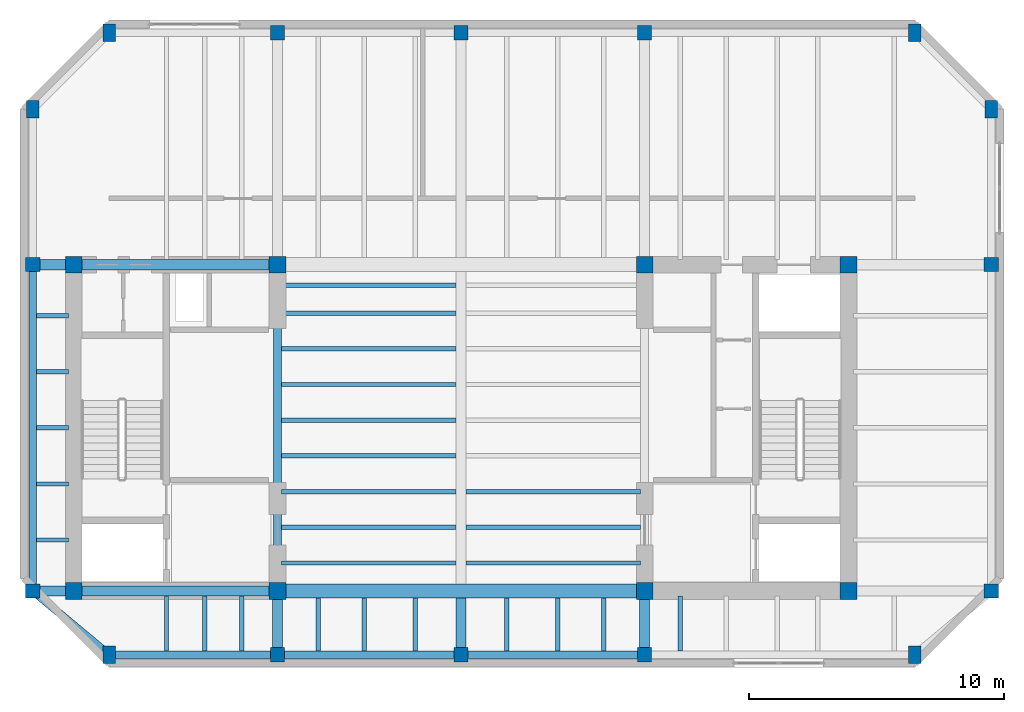
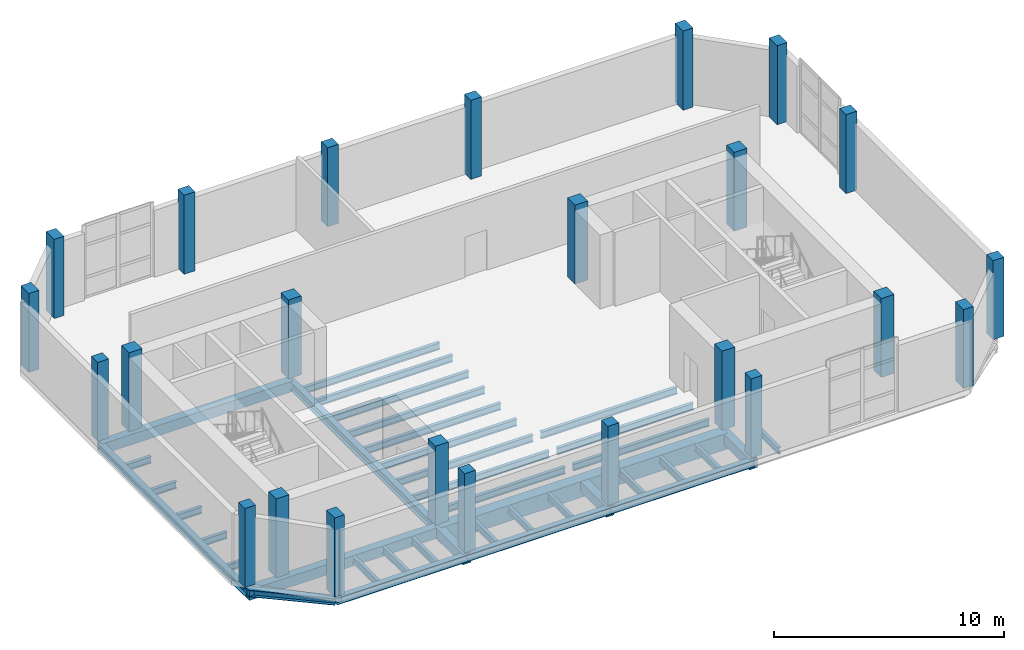
# One storey, part 1 of 7: 39 beams, 24 columns.
"""IFC4 building model written with IfcOpenShell, lengths in metres."""

from ifc_helpers import new_model, si_unit, direction, frame, origin, origin_2d, place, context, subcontext, project, spatial, rectangle, i_section, extrude, material, material_profile, profile_set, type_object, element, save


model = new_model("IFC4")

# Units and contexts
model_context = context("Model", 3, precision=1e-05, world=origin(), true_north=direction((0.0, 1.0)))
body_context = subcontext(model_context, "Body", "Model", "MODEL_VIEW")
ifc_project = project(units=[si_unit("LENGTHUNIT", "METRE"), si_unit("AREAUNIT", "SQUARE_METRE"), si_unit("VOLUMEUNIT", "CUBIC_METRE"), si_unit("PLANEANGLEUNIT", "RADIAN"), si_unit("MASSUNIT", "GRAM", prefix="KILO")], contexts=[model_context])

# Site, building, storey
site_placement = place(None, origin())
site = spatial("IfcSite", under=ifc_project, at=site_placement, CompositionType="ELEMENT")
building_placement = place(site_placement, origin())
building = spatial("IfcBuilding", under=site, at=building_placement, Name="Kranthara Brick Stack", CompositionType="ELEMENT")
storey_placement = place(building_placement, frame((0.0, 0.0, 296.39990234375)))
storey = spatial("IfcBuildingStorey", under=building, at=storey_placement, Name="L78", CompositionType="ELEMENT", Elevation=296.39990234375)

# Columns
ifc_material_1 = material(Name="Concrete C45/55", Category="concrete")
ifc_material_profile_1 = material_profile(ifc_material_1, rectangle(XDim=0.5, YDim=0.699951171875, at=origin_2d()), Name="RC 500x700")
ifc_profile_set_1 = profile_set([ifc_material_profile_1], Name="Concrete C45/55")
column_type_1 = type_object("IfcColumnType", Name="COL-CHAM-500x700", PredefinedType="COLUMN", material=ifc_profile_set_1)
for number, where, z_axis, x_axis, name in (
    (1, (14.199951171875, 18.300048828125, 0.0), (0.0, 0.0, 1.0), (1.0, 0.0, 0.0), "L78 Column 09"),
    (2, (14.199951171875, 42.699951171875, 0.0), (0.0, 0.0, 1.0), (1.0, 0.0, 0.0), "L78 Column 10"),
    (3, (45.800048828125, 18.300048828125, 0.0), (0.0, 0.0, 1.0), (1.0, 0.0, 0.0), "L78 Column 17"),
    (4, (45.800048828125, 42.699951171875, 0.0), (0.0, 0.0, 1.0), (1.0, 0.0, 0.0), "L78 Column 18"),
    (5, (11.199951171875, 39.699951171875, 0.0), (0.0, 0.0, 1.0), (1.0, 0.0, 0.0), "L78 Column 23"),
    (6, (48.800048828125, 39.699951171875, 0.0), (0.0, 0.0, 1.0), (1.0, 0.0, 0.0), "L78 Column 24"),
):
    element("IfcColumn", number, at=place(storey_placement, frame(where, z_axis=z_axis, x_axis=x_axis)), inside=storey, type_object=column_type_1, Name=name, PredefinedType="COLUMN", context=body_context, shape_type="SweptSolid", body=[
        extrude(rectangle(XDim=0.5, YDim=0.699951171875, at=origin_2d()), origin(), (0.0, 0.0, 1.0), 4.2001953125),
    ])
ifc_material_2 = material(Name="Concrete C50/60", Category="concrete")
ifc_material_profile_2 = material_profile(ifc_material_2, rectangle(XDim=0.64990234375, YDim=0.64990234375, at=origin_2d()), Name="RC 650x650")
ifc_profile_set_2 = profile_set([ifc_material_profile_2], Name="Concrete C50/60")
column_type_2 = type_object("IfcColumnType", Name="COL-CORE-650", PredefinedType="COLUMN", material=ifc_profile_set_2)
for number, where, z_axis, x_axis, name in (
    (7, (12.800048828125, 20.800048828125, 0.0), (0.0, 0.0, 1.0), (1.0, 0.0, 0.0), "L78 Column 01"),
    (8, (20.800048828125, 20.800048828125, 0.0), (0.0, 0.0, 1.0), (1.0, 0.0, 0.0), "L78 Column 02"),
    (9, (12.800048828125, 33.60009765625, 0.0), (0.0, 0.0, 1.0), (1.0, 0.0, 0.0), "L78 Column 03"),
    (10, (20.800048828125, 33.60009765625, 0.0), (0.0, 0.0, 1.0), (1.0, 0.0, 0.0), "L78 Column 04"),
    (11, (35.199951171875, 20.800048828125, 0.0), (0.0, 0.0, 1.0), (1.0, 0.0, 0.0), "L78 Column 05"),
    (12, (43.199951171875, 20.800048828125, 0.0), (0.0, 0.0, 1.0), (1.0, 0.0, 0.0), "L78 Column 06"),
    (13, (35.199951171875, 33.60009765625, 0.0), (0.0, 0.0, 1.0), (1.0, 0.0, 0.0), "L78 Column 07"),
    (14, (43.199951171875, 33.60009765625, 0.0), (0.0, 0.0, 1.0), (1.0, 0.0, 0.0), "L78 Column 08"),
):
    element("IfcColumn", number, at=place(storey_placement, frame(where, z_axis=z_axis, x_axis=x_axis)), inside=storey, type_object=column_type_2, Name=name, PredefinedType="COLUMN", context=body_context, shape_type="SweptSolid", body=[
        extrude(rectangle(XDim=0.64990234375, YDim=0.64990234375, at=origin_2d()), origin(), (0.0, 0.0, 1.0), 4.2001953125),
    ])
ifc_material_3 = material(Name="Concrete C45/55", Category="concrete")
ifc_material_profile_3 = material_profile(ifc_material_3, rectangle(XDim=0.550048828125, YDim=0.550048828125, at=origin_2d()), Name="RC 550x550")
ifc_profile_set_3 = profile_set([ifc_material_profile_3], Name="Concrete C45/55")
column_type_3 = type_object("IfcColumnType", Name="COL-PER-550", PredefinedType="COLUMN", material=ifc_profile_set_3)
for number, where, z_axis, x_axis, name in (
    (15, (20.800048828125, 18.300048828125, 0.0), (0.0, 0.0, 1.0), (1.0, 0.0, 0.0), "L78 Column 11"),
    (16, (20.800048828125, 42.699951171875, 0.0), (0.0, 0.0, 1.0), (1.0, 0.0, 0.0), "L78 Column 12"),
    (17, (28.0, 18.300048828125, 0.0), (0.0, 0.0, 1.0), (1.0, 0.0, 0.0), "L78 Column 13"),
    (18, (28.0, 42.699951171875, 0.0), (0.0, 0.0, 1.0), (1.0, 0.0, 0.0), "L78 Column 14"),
    (19, (35.199951171875, 18.300048828125, 0.0), (0.0, 0.0, 1.0), (1.0, 0.0, 0.0), "L78 Column 15"),
    (20, (35.199951171875, 42.699951171875, 0.0), (0.0, 0.0, 1.0), (1.0, 0.0, 0.0), "L78 Column 16"),
    (21, (11.199951171875, 20.800048828125, 0.0), (0.0, 0.0, 1.0), (1.0, 0.0, 0.0), "L78 Column 19"),
    (22, (48.800048828125, 20.800048828125, 0.0), (0.0, 0.0, 1.0), (1.0, 0.0, 0.0), "L78 Column 20"),
    (23, (11.199951171875, 33.60009765625, 0.0), (0.0, 0.0, 1.0), (1.0, 0.0, 0.0), "L78 Column 21"),
    (24, (48.800048828125, 33.60009765625, 0.0), (0.0, 0.0, 1.0), (1.0, 0.0, 0.0), "L78 Column 22"),
):
    element("IfcColumn", number, at=place(storey_placement, frame(where, z_axis=z_axis, x_axis=x_axis)), inside=storey, type_object=column_type_3, Name=name, PredefinedType="COLUMN", context=body_context, shape_type="SweptSolid", body=[
        extrude(rectangle(XDim=0.550048828125, YDim=0.550048828125, at=origin_2d()), origin(), (0.0, 0.0, 1.0), 4.2001953125),
    ])

# Beams
ifc_material_4 = material(Name="Concrete C50/60", Category="concrete")
ifc_material_profile_4 = material_profile(ifc_material_4, rectangle(XDim=0.550048828125, YDim=0.85009765625, at=origin_2d()), Name="RC 550x850")
ifc_profile_set_4 = profile_set([ifc_material_profile_4], Name="Concrete C50/60")
beam_type_1 = type_object("IfcBeamType", Name="BM-CPL-RC850", PredefinedType="LINTEL", material=ifc_profile_set_4)
beam_1_placement = place(storey_placement, frame((20.800048828125, 20.800048828125, -0.704833984375), z_axis=(1.0, 0.0, 0.0), x_axis=(0.0, 1.0, 0.0)))
element("IfcBeam", 25, at=beam_1_placement, inside=storey, type_object=beam_type_1, Name="L78 Core Coupling Beam 001", PredefinedType="LINTEL", context=body_context, shape_type="SweptSolid", body=[
    extrude(rectangle(XDim=0.550048828125, YDim=0.85009765625, at=origin_2d()), origin(), (0.0, 0.0, 1.0), 14.39990234375),
])
ifc_material_5 = material(Name="Post-tensioned concrete C45/55", Category="concrete")
ifc_material_profile_5 = material_profile(ifc_material_5, rectangle(XDim=0.39990234375, YDim=0.550048828125, at=origin_2d()), Name="PT 400x550")
ifc_profile_set_5 = profile_set([ifc_material_profile_5], Name="Post-tensioned concrete C45/55")
beam_type_2 = type_object("IfcBeamType", Name="BM-FLR-PT550", PredefinedType="BEAM", material=ifc_profile_set_5)
beam_2_placement = place(storey_placement, frame((20.800048828125, 18.300048828125, -0.554931640625), z_axis=(0.0, 1.0, 0.0), x_axis=(-1.0, 0.0, 0.0)))
element("IfcBeam", 26, at=beam_2_placement, inside=storey, type_object=beam_type_2, Name="L78 Primary Grid Girder 021", PredefinedType="BEAM", context=body_context, shape_type="SweptSolid", body=[
    extrude(rectangle(XDim=0.39990234375, YDim=0.550048828125, at=origin_2d()), origin(), (0.0, 0.0, 1.0), 2.5),
])
beam_3_placement = place(storey_placement, frame((28.0, 18.300048828125, -0.554931640625), z_axis=(0.0, 1.0, 0.0), x_axis=(-1.0, 0.0, 0.0)))
element("IfcBeam", 27, at=beam_3_placement, inside=storey, type_object=beam_type_2, Name="L78 Primary Grid Girder 023", PredefinedType="BEAM", context=body_context, shape_type="SweptSolid", body=[
    extrude(rectangle(XDim=0.39990234375, YDim=0.550048828125, at=origin_2d()), origin(), (0.0, 0.0, 1.0), 2.224853515625),
])
beam_4_placement = place(storey_placement, frame((35.199951171875, 18.300048828125, -0.554931640625), z_axis=(0.0, 1.0, 0.0), x_axis=(-1.0, 0.0, 0.0)))
element("IfcBeam", 28, at=beam_4_placement, inside=storey, type_object=beam_type_2, Name="L78 Primary Grid Girder 026", PredefinedType="BEAM", context=body_context, shape_type="SweptSolid", body=[
    extrude(rectangle(XDim=0.39990234375, YDim=0.550048828125, at=origin_2d()), origin(), (0.0, 0.0, 1.0), 2.5),
])
for number, where, z_axis, x_axis, name in (
    (29, (11.199951171875, 20.800048828125, -0.554931640625), (1.0, 0.0, 0.0), (0.0, 1.0, 0.0), "L78 Primary Grid Girder 028"),
    (30, (11.199951171875, 33.60009765625, -0.554931640625), (1.0, 0.0, 0.0), (0.0, 1.0, 0.0), "L78 Primary Grid Girder 030"),
):
    element("IfcBeam", number, at=place(storey_placement, frame(where, z_axis=z_axis, x_axis=x_axis)), inside=storey, type_object=beam_type_2, Name=name, PredefinedType="BEAM", context=body_context, shape_type="SweptSolid", body=[
        extrude(rectangle(XDim=0.39990234375, YDim=0.550048828125, at=origin_2d()), origin(), (0.0, 0.0, 1.0), 9.60009765625),
    ])
ifc_material_6 = material(Name="Steel S355", Category="steel")
ifc_material_profile_6 = material_profile(ifc_material_6, i_section(OverallWidth=0.169921875, OverallDepth=0.360107421875, WebThickness=0.008056640625, FlangeThickness=0.0126953125, at=origin_2d()), Name="IPE 360")
ifc_profile_set_6 = profile_set([ifc_material_profile_6], Name="Steel S355")
beam_type_3 = type_object("IfcBeamType", Name="BM-JST-IPE360", PredefinedType="JOIST", material=ifc_profile_set_6)
for number, where, z_axis, x_axis, name in (
    (31, (20.949951171875, 21.89990234375, -0.4599609375), (1.0, 0.0, 0.0), (0.0, 1.0, 0.0), "L78 Central Floor Joist 032"),
    (32, (28.199951171875, 21.89990234375, -0.4599609375), (1.0, 0.0, 0.0), (0.0, 1.0, 0.0), "L78 Central Floor Joist 033"),
    (33, (20.949951171875, 23.300048828125, -0.4599609375), (1.0, 0.0, 0.0), (0.0, 1.0, 0.0), "L78 Central Floor Joist 034"),
    (34, (28.199951171875, 23.300048828125, -0.4599609375), (1.0, 0.0, 0.0), (0.0, 1.0, 0.0), "L78 Central Floor Joist 035"),
    (35, (20.949951171875, 24.699951171875, -0.4599609375), (1.0, 0.0, 0.0), (0.0, 1.0, 0.0), "L78 Central Floor Joist 036"),
    (36, (28.199951171875, 24.699951171875, -0.4599609375), (1.0, 0.0, 0.0), (0.0, 1.0, 0.0), "L78 Central Floor Joist 037"),
    (37, (20.949951171875, 26.10009765625, -0.4599609375), (1.0, 0.0, 0.0), (0.0, 1.0, 0.0), "L78 Central Floor Joist 038"),
    (38, (20.949951171875, 27.5, -0.4599609375), (1.0, 0.0, 0.0), (0.0, 1.0, 0.0), "L78 Central Floor Joist 040"),
    (39, (20.949951171875, 28.89990234375, -0.4599609375), (1.0, 0.0, 0.0), (0.0, 1.0, 0.0), "L78 Central Floor Joist 042"),
    (40, (20.949951171875, 30.300048828125, -0.4599609375), (1.0, 0.0, 0.0), (0.0, 1.0, 0.0), "L78 Central Floor Joist 044"),
    (41, (20.949951171875, 31.699951171875, -0.4599609375), (1.0, 0.0, 0.0), (0.0, 1.0, 0.0), "L78 Central Floor Joist 046"),
    (42, (20.949951171875, 32.800048828125, -0.4599609375), (1.0, 0.0, 0.0), (0.0, 1.0, 0.0), "L78 Central Floor Joist 048"),
):
    element("IfcBeam", number, at=place(storey_placement, frame(where, z_axis=z_axis, x_axis=x_axis)), inside=storey, type_object=beam_type_3, Name=name, PredefinedType="JOIST", context=body_context, shape_type="SweptSolid", body=[
        extrude(i_section(OverallWidth=0.169921875, OverallDepth=0.360107421875, WebThickness=0.008056640625, FlangeThickness=0.0126953125, at=origin_2d()), origin(), (0.0, 0.0, 1.0), 6.85009765625),
    ])
for number, where, z_axis, x_axis, name in (
    (43, (16.449951171875, 18.449951171875, -0.4599609375), (0.0, 1.0, 0.0), (-1.0, 0.0, 0.0), "L78 South Wing Floor Joist 050"),
    (44, (17.949951171875, 18.449951171875, -0.4599609375), (0.0, 1.0, 0.0), (-1.0, 0.0, 0.0), "L78 South Wing Floor Joist 052"),
    (45, (19.39990234375, 18.449951171875, -0.4599609375), (0.0, 1.0, 0.0), (-1.0, 0.0, 0.0), "L78 South Wing Floor Joist 054"),
):
    element("IfcBeam", number, at=place(storey_placement, frame(where, z_axis=z_axis, x_axis=x_axis)), inside=storey, type_object=beam_type_3, Name=name, PredefinedType="JOIST", context=body_context, shape_type="SweptSolid", body=[
        extrude(i_section(OverallWidth=0.169921875, OverallDepth=0.360107421875, WebThickness=0.008056640625, FlangeThickness=0.0126953125, at=origin_2d()), origin(), (0.0, 0.0, 1.0), 2.150146484375),
    ])
for number, where, z_axis, x_axis, name in (
    (46, (22.39990234375, 18.449951171875, -0.4599609375), (0.0, 1.0, 0.0), (-1.0, 0.0, 0.0), "L78 South Wing Floor Joist 056"),
    (47, (24.199951171875, 18.449951171875, -0.4599609375), (0.0, 1.0, 0.0), (-1.0, 0.0, 0.0), "L78 South Wing Floor Joist 058"),
    (48, (26.199951171875, 18.449951171875, -0.4599609375), (0.0, 1.0, 0.0), (-1.0, 0.0, 0.0), "L78 South Wing Floor Joist 060"),
    (49, (29.800048828125, 18.449951171875, -0.4599609375), (0.0, 1.0, 0.0), (-1.0, 0.0, 0.0), "L78 South Wing Floor Joist 062"),
    (50, (31.800048828125, 18.449951171875, -0.4599609375), (0.0, 1.0, 0.0), (-1.0, 0.0, 0.0), "L78 South Wing Floor Joist 064"),
    (51, (33.60009765625, 18.449951171875, -0.4599609375), (0.0, 1.0, 0.0), (-1.0, 0.0, 0.0), "L78 South Wing Floor Joist 066"),
):
    element("IfcBeam", number, at=place(storey_placement, frame(where, z_axis=z_axis, x_axis=x_axis)), inside=storey, type_object=beam_type_3, Name=name, PredefinedType="JOIST", context=body_context, shape_type="SweptSolid", body=[
        extrude(i_section(OverallWidth=0.169921875, OverallDepth=0.360107421875, WebThickness=0.008056640625, FlangeThickness=0.0126953125, at=origin_2d()), origin(), (0.0, 0.0, 1.0), 2.074951171875),
    ])
beam_5_placement = place(storey_placement, frame((36.60009765625, 18.449951171875, -0.4599609375), z_axis=(0.0, 1.0, 0.0), x_axis=(-1.0, 0.0, 0.0)))
element("IfcBeam", 52, at=beam_5_placement, inside=storey, type_object=beam_type_3, Name="L78 South Wing Floor Joist 068", PredefinedType="JOIST", context=body_context, shape_type="SweptSolid", body=[
    extrude(i_section(OverallWidth=0.169921875, OverallDepth=0.360107421875, WebThickness=0.008056640625, FlangeThickness=0.0126953125, at=origin_2d()), origin(), (0.0, 0.0, 1.0), 2.150146484375),
])
for number, where, z_axis, x_axis, name in (
    (53, (11.35009765625, 22.800048828125, -0.4599609375), (1.0, 0.0, 0.0), (0.0, 1.0, 0.0), "L78 West Wing Floor Joist 078"),
    (54, (11.35009765625, 25.0, -0.4599609375), (1.0, 0.0, 0.0), (0.0, 1.0, 0.0), "L78 West Wing Floor Joist 080"),
    (55, (11.35009765625, 27.199951171875, -0.4599609375), (1.0, 0.0, 0.0), (0.0, 1.0, 0.0), "L78 West Wing Floor Joist 082"),
    (56, (11.35009765625, 29.39990234375, -0.4599609375), (1.0, 0.0, 0.0), (0.0, 1.0, 0.0), "L78 West Wing Floor Joist 084"),
    (57, (11.35009765625, 31.60009765625, -0.4599609375), (1.0, 0.0, 0.0), (0.0, 1.0, 0.0), "L78 West Wing Floor Joist 086"),
):
    element("IfcBeam", number, at=place(storey_placement, frame(where, z_axis=z_axis, x_axis=x_axis)), inside=storey, type_object=beam_type_3, Name=name, PredefinedType="JOIST", context=body_context, shape_type="SweptSolid", body=[
        extrude(i_section(OverallWidth=0.169921875, OverallDepth=0.360107421875, WebThickness=0.008056640625, FlangeThickness=0.0126953125, at=origin_2d()), origin(), (0.0, 0.0, 1.0), 1.25),
    ])
ifc_material_7 = material(Name="Steel S355", Category="steel")
ifc_material_profile_7 = material_profile(ifc_material_7, i_section(OverallWidth=0.300048828125, OverallDepth=0.360107421875, WebThickness=0.012451171875, FlangeThickness=0.0224609375, at=origin_2d()), Name="HEB 360")
ifc_profile_set_7 = profile_set([ifc_material_profile_7], Name="Steel S355")
beam_type_4 = type_object("IfcBeamType", Name="BM-STL-HEB360", PredefinedType="SPANDREL", material=ifc_profile_set_7)
beam_6_placement = place(storey_placement, frame((14.199951171875, 18.300048828125, -0.4599609375), z_axis=(1.0, 0.0, 0.0), x_axis=(0.0, 1.0, 0.0)))
element("IfcBeam", 58, at=beam_6_placement, inside=storey, type_object=beam_type_4, Name="L78 Perimeter Spandrel Beam 005", PredefinedType="SPANDREL", context=body_context, shape_type="SweptSolid", body=[
    extrude(i_section(OverallWidth=0.300048828125, OverallDepth=0.360107421875, WebThickness=0.012451171875, FlangeThickness=0.0224609375, at=origin_2d()), origin(), (0.0, 0.0, 1.0), 6.60009765625),
])
for number, where, z_axis, x_axis, name in (
    (59, (20.800048828125, 18.300048828125, -0.4599609375), (1.0, 0.0, 0.0), (0.0, 1.0, 0.0), "L78 Perimeter Spandrel Beam 006"),
    (60, (28.0, 18.300048828125, -0.4599609375), (1.0, 0.0, 0.0), (0.0, 1.0, 0.0), "L78 Perimeter Spandrel Beam 007"),
):
    element("IfcBeam", number, at=place(storey_placement, frame(where, z_axis=z_axis, x_axis=x_axis)), inside=storey, type_object=beam_type_4, Name=name, PredefinedType="SPANDREL", context=body_context, shape_type="SweptSolid", body=[
        extrude(i_section(OverallWidth=0.300048828125, OverallDepth=0.360107421875, WebThickness=0.012451171875, FlangeThickness=0.0224609375, at=origin_2d()), origin(), (0.0, 0.0, 1.0), 7.199951171875),
    ])
beam_7_placement = place(storey_placement, frame((11.199951171875, 20.800048828125, -0.4599609375), z_axis=(0.0, 1.0, 0.0), x_axis=(-1.0, 0.0, 0.0)))
element("IfcBeam", 61, at=beam_7_placement, inside=storey, type_object=beam_type_4, Name="L78 Perimeter Spandrel Beam 013", PredefinedType="SPANDREL", context=body_context, shape_type="SweptSolid", body=[
    extrude(i_section(OverallWidth=0.300048828125, OverallDepth=0.360107421875, WebThickness=0.012451171875, FlangeThickness=0.0224609375, at=origin_2d()), origin(), (0.0, 0.0, 1.0), 12.800048828125),
])
beam_8_placement = place(storey_placement, frame((14.199951171875, 18.300048828125, -0.4599609375), z_axis=(-0.768221279597, 0.640184399664, 0.0), x_axis=(-0.640184399664, -0.768221279597, 0.0)))
element("IfcBeam", 62, at=beam_8_placement, inside=storey, type_object=beam_type_4, Name="L78 Chamfer Corner Spandrel 017", PredefinedType="SPANDREL", context=body_context, shape_type="SweptSolid", body=[
    extrude(i_section(OverallWidth=0.300048828125, OverallDepth=0.360107421875, WebThickness=0.012451171875, FlangeThickness=0.0224609375, at=origin_2d()), origin(), (0.0, 0.0, 1.0), 3.905029296875),
])
ifc_material_8 = material(Name="Steel S355", Category="steel")
ifc_material_profile_8 = material_profile(ifc_material_8, i_section(OverallWidth=0.300048828125, OverallDepth=0.449951171875, WebThickness=0.013916015625, FlangeThickness=0.02587890625, at=origin_2d()), Name="HEB 450")
ifc_profile_set_8 = profile_set([ifc_material_profile_8], Name="Steel S355")
beam_type_5 = type_object("IfcBeamType", Name="BM-STL-HEB450", PredefinedType="SPANDREL", material=ifc_profile_set_8)
beam_9_placement = place(storey_placement, frame((20.800048828125, 20.800048828125, -0.5048828125), z_axis=(0.0, 1.0, 0.0), x_axis=(-1.0, 0.0, 0.0)))
element("IfcBeam", 63, at=beam_9_placement, inside=storey, type_object=beam_type_5, Name="L78 Core Edge Tie Beam 003", PredefinedType="SPANDREL", context=body_context, shape_type="SweptSolid", body=[
    extrude(i_section(OverallWidth=0.300048828125, OverallDepth=0.449951171875, WebThickness=0.013916015625, FlangeThickness=0.02587890625, at=origin_2d()), origin(), (0.0, 0.0, 1.0), 12.800048828125),
])

save(model, "model.ifc")
